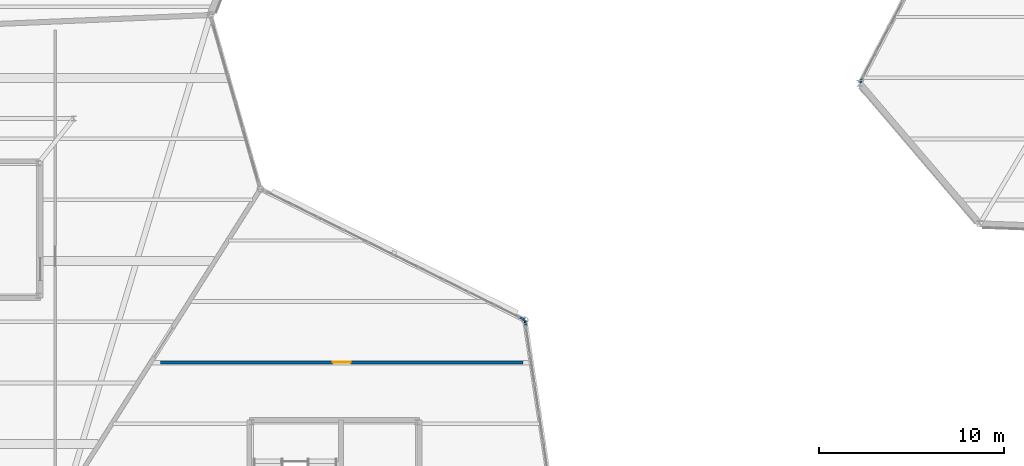
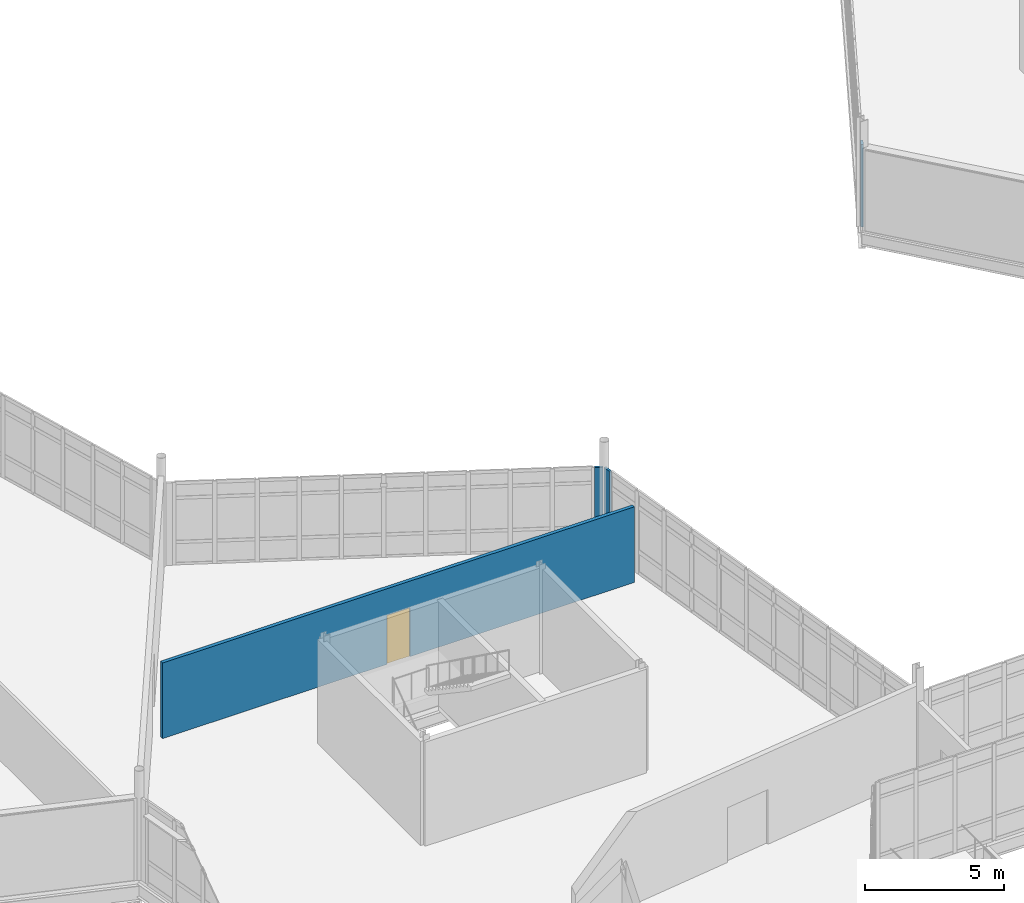
# One storey, part 95 of 114: 4 walls, 1 door, 1 opening.
"""IFC4 building model written with IfcOpenShell, lengths in metres."""

from ifc_helpers import new_model, si_unit, direction, frame, frame_2d, origin, place, context, subcontext, project, spatial, rectangle, extrude, material, layer, layer_set, type_object, element, fill, save


model = new_model("IFC4")

# Units and contexts
model_context = context("Model", 3, precision=1e-05, world=origin(), true_north=direction((0.0, 1.0)))
body_context = subcontext(model_context, "Body", "Model", "MODEL_VIEW")
ifc_project = project(units=[si_unit("LENGTHUNIT", "METRE"), si_unit("AREAUNIT", "SQUARE_METRE"), si_unit("VOLUMEUNIT", "CUBIC_METRE"), si_unit("PLANEANGLEUNIT", "RADIAN"), si_unit("MASSUNIT", "GRAM", prefix="KILO")], contexts=[model_context])

# Site, building, storey
site_placement = place(None, origin())
site = spatial("IfcSite", under=ifc_project, at=site_placement, CompositionType="ELEMENT")
building_placement = place(site_placement, origin())
building = spatial("IfcBuilding", under=site, at=building_placement, Name="Tameran Prism Museum", CompositionType="ELEMENT")
storey_placement = place(building_placement, frame((0.0, 0.0, 10.199951171875)))
storey = spatial("IfcBuildingStorey", under=building, at=storey_placement, Name="L02", CompositionType="ELEMENT", Elevation=10.199951171875)

# Walls
ifc_material_1 = material(Name="Precast Concrete N40 (40 MPa)", Category="concrete")
ifc_layer_1 = layer(ifc_material_1, 0.094970703125)
ifc_layer_set_1 = layer_set([ifc_layer_1])
wall_type_1 = type_object("IfcWallType", Name="EW-CLOS-095", PredefinedType="SOLIDWALL", material=ifc_layer_set_1)
wall_1_placement = place(storey_placement, frame((92.9189453125, 78.93701171875, 0.0), z_axis=(0.0, 0.0, 1.0), x_axis=(0.464243799771, 0.885707454171, 0.0)))
element("IfcWall", 1, at=wall_1_placement, inside=storey, type_object=wall_type_1, Name="Facade Corner Closure EW-0271", PredefinedType="SOLIDWALL", context=body_context, shape_type="SweptSolid", body=[
    extrude(rectangle(XDim=0.30810546875, YDim=0.094970703125, at=frame_2d((0.154052734375, 0.0))), origin(), (0.0, 0.0, 1.0), 3.6201171875),
])
wall_2_placement = place(storey_placement, frame((74.805908203125, 66.05810546875, 0.0), z_axis=(0.0, 0.0, 1.0), x_axis=(0.14996991646, -0.988690560366, 0.0)))
element("IfcWall", 2, at=wall_2_placement, inside=storey, type_object=wall_type_1, Name="Facade Corner Closure EW-0310", PredefinedType="SOLIDWALL", context=body_context, shape_type="SweptSolid", body=[
    extrude(rectangle(XDim=0.3076171875, YDim=0.094970703125, at=frame_2d((0.15380859375, 0.0))), origin(), (0.0, 0.0, 1.0), 3.6201171875),
])
wall_3_placement = place(storey_placement, frame((74.487060546875, 66.256103515625, 0.0), z_axis=(0.0, 0.0, 1.0), x_axis=(0.894744814052, -0.446577784633, 0.0)))
element("IfcWall", 3, at=wall_3_placement, inside=storey, type_object=wall_type_1, Name="Facade Corner Closure EW-0313", PredefinedType="SOLIDWALL", context=body_context, shape_type="SweptSolid", body=[
    extrude(rectangle(XDim=0.30712890625, YDim=0.094970703125, at=frame_2d((0.153564453125, 0.0))), origin(), (0.0, 0.0, 1.0), 3.6201171875),
])

# Wall, opening, door
ifc_material_2 = material(Name="Laboratory Moisture-Resistant Partition")
ifc_layer_2 = layer(ifc_material_2, 0.14990234375)
ifc_layer_set_2 = layer_set([ifc_layer_2])
wall_type_2 = type_object("IfcWallType", Name="IW-PRT-150", PredefinedType="PARTITIONING", material=ifc_layer_set_2)
wall_4_placement = place(storey_placement, frame((55.094970703125, 63.81298828125, 0.0), z_axis=(0.0, 0.0, 1.0), x_axis=(1.0, 0.0, 0.0)))
wall_4 = element("IfcWall", 4, at=wall_4_placement, inside=storey, type_object=wall_type_2, Name="Internal Partition PT-0131", PredefinedType="PARTITIONING", context=body_context, shape_type="SweptSolid", body=[
    extrude(rectangle(XDim=19.594970703125, YDim=0.14990234375, at=frame_2d((9.79736328125, 0.0))), origin(), (0.0, 0.0, 1.0), 3.320068359375),
])
opening_placement = place(wall_4_placement, frame((9.322021484375, 0.0, 0.0)))
opening = element("IfcOpeningElement", 5, at=opening_placement, cuts=wall_4, Name="Opening ID-0130", PredefinedType="OPENING", context=body_context, shape_type="SweptSolid", body=[
    extrude(rectangle(XDim=0.949951171875, YDim=2.14990234375, at=frame_2d((0.47509765625, 1.074951171875))), frame((0.0, 0.0849609375, 0.0), z_axis=(0.0, -1.0, 0.0), x_axis=(1.0, 0.0, 0.0)), (0.0, 0.0, 1.0), 0.169921875),
])
ifc_material_3 = material(Name="Acoustic Solid-Core Timber Door", Category="wood")
door_type = type_object("IfcDoorType", Name="DR-INT-095", OperationType="NOTDEFINED", PredefinedType="DOOR", material=ifc_material_3)
door_placement = place(opening_placement, origin())
door = element("IfcDoor", 6, at=door_placement, inside=storey, type_object=door_type, Name="Interior Room Door ID-0130", OperationType="SINGLE_SWING_LEFT", OverallHeight=2.14990234375, OverallWidth=0.949951171875, PredefinedType="DOOR", context=body_context, shape_type="SweptSolid", body=[
    extrude(rectangle(XDim=0.949951171875, YDim=2.14990234375, at=frame_2d((0.47509765625, 1.074951171875))), frame((0.0, 0.02490234375, 0.0), z_axis=(0.0, -1.0, 0.0), x_axis=(1.0, 0.0, 0.0)), (0.0, 0.0, 1.0), 0.050048828125),
])
fill(opening, door)

save(model, "model.ifc")
